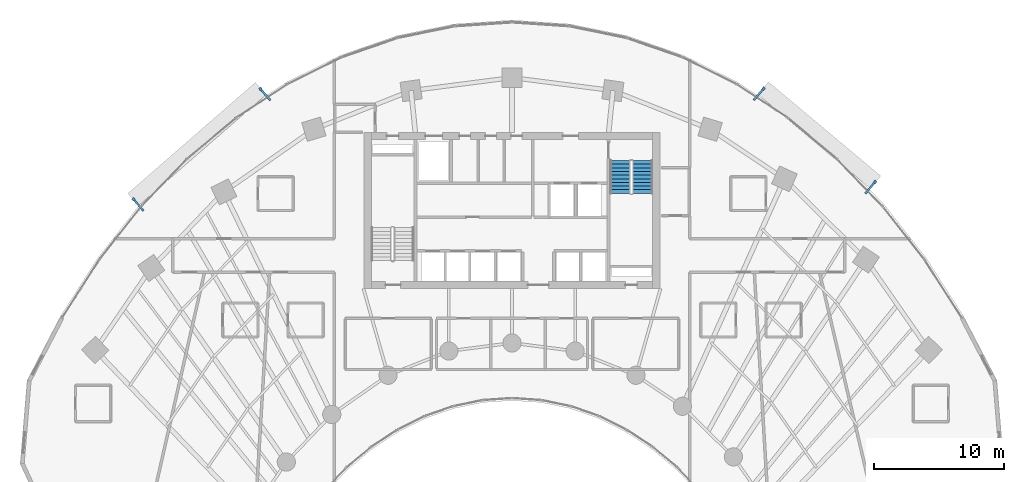
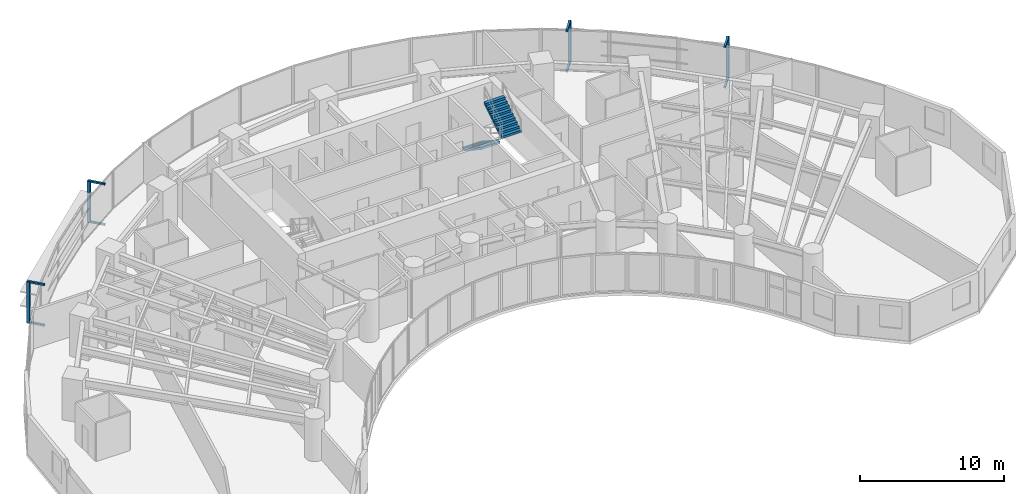
# One storey, part 15 of 17: 12 discrete accessories, 2 stair flights, 1 element without a shape of its own.
"""IFC4 building model written with IfcOpenShell, lengths in metres."""

from ifc_helpers import new_model, si_unit, direction, frame, origin, origin_2d, place, context, subcontext, project, spatial, polyline, rectangle, outline, extrude, source, transform, mapped, material, type_object, type_shapes, element, aggregate, save


model = new_model("IFC4")

# Units and contexts
model_context = context("Model", 3, precision=1e-05, world=origin(), true_north=direction((0.0, 1.0)))
body_context = subcontext(model_context, "Body", "Model", "MODEL_VIEW")
ifc_project = project(units=[si_unit("LENGTHUNIT", "METRE"), si_unit("AREAUNIT", "SQUARE_METRE"), si_unit("VOLUMEUNIT", "CUBIC_METRE"), si_unit("PLANEANGLEUNIT", "RADIAN"), si_unit("MASSUNIT", "GRAM", prefix="KILO")], contexts=[model_context])

# Site, building, storey
site_placement = place(None, origin())
site = spatial("IfcSite", under=ifc_project, at=site_placement, CompositionType="ELEMENT")
building_placement = place(site_placement, origin())
building = spatial("IfcBuilding", under=site, at=building_placement, Name="Breltana Convention Tower", CompositionType="ELEMENT")
storey_placement = place(building_placement, frame((0.0, 0.0, 82.199951171875)))
storey = spatial("IfcBuildingStorey", under=building, at=storey_placement, Name="L19", CompositionType="ELEMENT", Elevation=82.199951171875)

# Stair, stair flights
ifc_material_1 = material(Name="Concrete C40/50", Category="concrete")
stair_type = type_object("IfcStairType", Name="ST-DOG-1560-R180", PredefinedType="HALF_TURN_STAIR", material=ifc_material_1)
stair_placement = place(storey_placement, origin())
stair = element("IfcStair", 1, at=stair_placement, inside=storey, type_object=stair_type, Name="L19 Protected Core Exit Stair ST-2", PredefinedType="HALF_TURN_STAIR")
stair_flight_type = type_object("IfcStairFlightType", Name="STF-DOG-1560-N10-R180", PredefinedType="STRAIGHT", material=ifc_material_1)
stair_flight_1_placement = place(storey_placement, frame((56.31005859375, 70.0400390625, 0.0), z_axis=(0.0, 0.0, 1.0), x_axis=(0.0, -1.0, 0.0)))
stair_flight_1 = element("IfcStairFlight", 2, at=stair_flight_1_placement, type_object=stair_flight_type, Name="ST-2 flight 1", NumberOfRisers=10, NumberOfTreads=9, PredefinedType="STRAIGHT", RiserHeight=0.18, TreadLength=0.28, context=body_context, shape_type="SweptSolid", body=[
    extrude(outline(polyline([(0.0, 0.0), (0.0, 0.179931640625), (0.280029296875, 0.179931640625), (0.280029296875, 0.360107421875), (0.56005859375, 0.360107421875), (0.56005859375, 0.5400390625), (0.840087890625, 0.5400390625), (0.840087890625, 0.719970703125), (1.1201171875, 0.719970703125), (1.1201171875, 0.89990234375), (1.39990234375, 0.89990234375), (1.39990234375, 1.080078125), (1.679931640625, 1.080078125), (1.679931640625, 1.260009765625), (1.9599609375, 1.260009765625), (1.9599609375, 1.43994140625), (2.239990234375, 1.43994140625), (2.239990234375, 1.6201171875), (2.52001953125, 1.6201171875), (2.52001953125, 1.800048828125), (2.52001953125, 1.44189453125), (0.277099609375, 0.0), (0.0, 0.0)])), frame((0.0, 0.780029296875, 0.0), z_axis=(0.0, -1.0, 0.0), x_axis=(1.0, 0.0, 0.0)), (0.0, 0.0, 1.0), 1.56005859375),
])
stair_flight_2_placement = place(storey_placement, frame((58.02001953125, 67.52001953125, 1.800048828125), z_axis=(0.0, 0.0, 1.0), x_axis=(0.0, 1.0, 0.0)))
stair_flight_2 = element("IfcStairFlight", 3, at=stair_flight_2_placement, type_object=stair_flight_type, Name="ST-2 flight 2", NumberOfRisers=10, NumberOfTreads=9, PredefinedType="STRAIGHT", RiserHeight=0.18, TreadLength=0.28, context=body_context, shape_type="SweptSolid", body=[
    extrude(outline(polyline([(0.0, 0.0), (0.0, 0.179931640625), (0.280029296875, 0.179931640625), (0.280029296875, 0.360107421875), (0.56005859375, 0.360107421875), (0.56005859375, 0.5400390625), (0.840087890625, 0.5400390625), (0.840087890625, 0.719970703125), (1.1201171875, 0.719970703125), (1.1201171875, 0.89990234375), (1.39990234375, 0.89990234375), (1.39990234375, 1.080078125), (1.679931640625, 1.080078125), (1.679931640625, 1.260009765625), (1.9599609375, 1.260009765625), (1.9599609375, 1.43994140625), (2.239990234375, 1.43994140625), (2.239990234375, 1.6201171875), (2.52001953125, 1.6201171875), (2.52001953125, 1.800048828125), (2.52001953125, 1.44189453125), (0.277099609375, 0.0), (0.0, 0.0)])), frame((0.0, 0.780029296875, 0.0), z_axis=(0.0, -1.0, 0.0), x_axis=(1.0, 0.0, 0.0)), (0.0, 0.0, 1.0), 1.56005859375),
])
aggregate(stair, [stair_flight_1, stair_flight_2])

# Discrete accessories
ifc_material_2 = material(Name="Steel S355", Category="steel")
discrete_accessory_type_1 = type_object("IfcDiscreteAccessoryType", Name="ACC-DSF-BRACKET-150", PredefinedType="BRACKET", material=ifc_material_2)
shared_shape_1 = source(origin(), body_context, "Body", "SweptSolid", [
    extrude(rectangle(XDim=1.239990234375, YDim=0.14990234375, at=origin_2d()), origin(), (0.0, 0.0, 1.0), 0.139892578125),
])
type_shapes(discrete_accessory_type_1, [shared_shape_1])
for number, where, z_axis, x_axis, name in (
    (4, (19.310791015625, 66.643798828125, -0.15966796875), (0.0, 0.0, 1.0), (-0.656456838663, 0.754363585397, 0.0), "L19 double-skin slab stand-off bracket 1.1B"),
    (5, (19.310791015625, 66.643798828125, 3.2802734375), (0.0, 0.0, 1.0), (-0.656456838663, 0.754363585397, 0.0), "L19 double-skin slab stand-off bracket 1.1T"),
    (6, (29.052978515625, 75.121337890625, -0.15966796875), (0.0, 0.0, 1.0), (-0.656456838663, 0.754363585397, 0.0), "L19 double-skin slab stand-off bracket 1.2B"),
    (7, (29.052978515625, 75.121337890625, 3.2802734375), (0.0, 0.0, 1.0), (-0.656456838663, 0.754363585397, 0.0), "L19 double-skin slab stand-off bracket 1.2T"),
    (8, (66.954833984375, 75.1435546875, -0.15966796875), (0.0, 0.0, 1.0), (0.641990162706, 0.76671287389, 0.0), "L19 double-skin slab stand-off bracket 2.1B"),
    (9, (66.954833984375, 75.1435546875, 3.2802734375), (0.0, 0.0, 1.0), (0.641990162706, 0.76671287389, 0.0), "L19 double-skin slab stand-off bracket 2.1T"),
    (10, (75.516357421875, 67.974853515625, -0.15966796875), (0.0, 0.0, 1.0), (0.641990162706, 0.76671287389, 0.0), "L19 double-skin slab stand-off bracket 2.2B"),
    (11, (75.516357421875, 67.974853515625, 3.2802734375), (0.0, 0.0, 1.0), (0.641990162706, 0.76671287389, 0.0), "L19 double-skin slab stand-off bracket 2.2T"),
):
    element("IfcDiscreteAccessory", number, at=place(storey_placement, frame(where, z_axis=z_axis, x_axis=x_axis)), inside=storey, type_object=discrete_accessory_type_1, Name=name, PredefinedType="BRACKET", context=body_context, shape_type="MappedRepresentation", body=[
        mapped(shared_shape_1, transform((0.0, 0.0, 0.0), scale=1.0)),
    ])
discrete_accessory_type_2 = type_object("IfcDiscreteAccessoryType", Name="ACC-DSF-CARRIER-150", PredefinedType="BRACKET", material=ifc_material_2)
shared_shape_2 = source(origin(), body_context, "Body", "SweptSolid", [
    extrude(rectangle(XDim=0.219970703125, YDim=0.219970703125, at=origin_2d()), origin(), (0.0, 0.0, 1.0), 3.5),
])
for number, where, z_axis, x_axis, name in (
    (12, (18.943115234375, 67.066162109375, -0.119873046875), (0.0, 0.0, 1.0), (-0.656456838663, 0.754363585397, 0.0), "L19 double-skin outer vertical carrier 1.1"),
    (13, (28.685302734375, 75.5439453125, -0.119873046875), (0.0, 0.0, 1.0), (-0.656456838663, 0.754363585397, 0.0), "L19 double-skin outer vertical carrier 1.2"),
    (14, (67.314453125, 75.57275390625, -0.119873046875), (0.0, 0.0, 1.0), (0.641990162706, 0.76671287389, 0.0), "L19 double-skin outer vertical carrier 2.1"),
    (15, (75.875732421875, 68.404052734375, -0.119873046875), (0.0, 0.0, 1.0), (0.641990162706, 0.76671287389, 0.0), "L19 double-skin outer vertical carrier 2.2"),
):
    element("IfcDiscreteAccessory", number, at=place(storey_placement, frame(where, z_axis=z_axis, x_axis=x_axis)), inside=storey, type_object=discrete_accessory_type_2, Name=name, PredefinedType="BRACKET", context=body_context, shape_type="MappedRepresentation", body=[
        mapped(shared_shape_2, transform((0.0, 0.0, 0.0), scale=1.0)),
    ])

save(model, "model.ifc")
